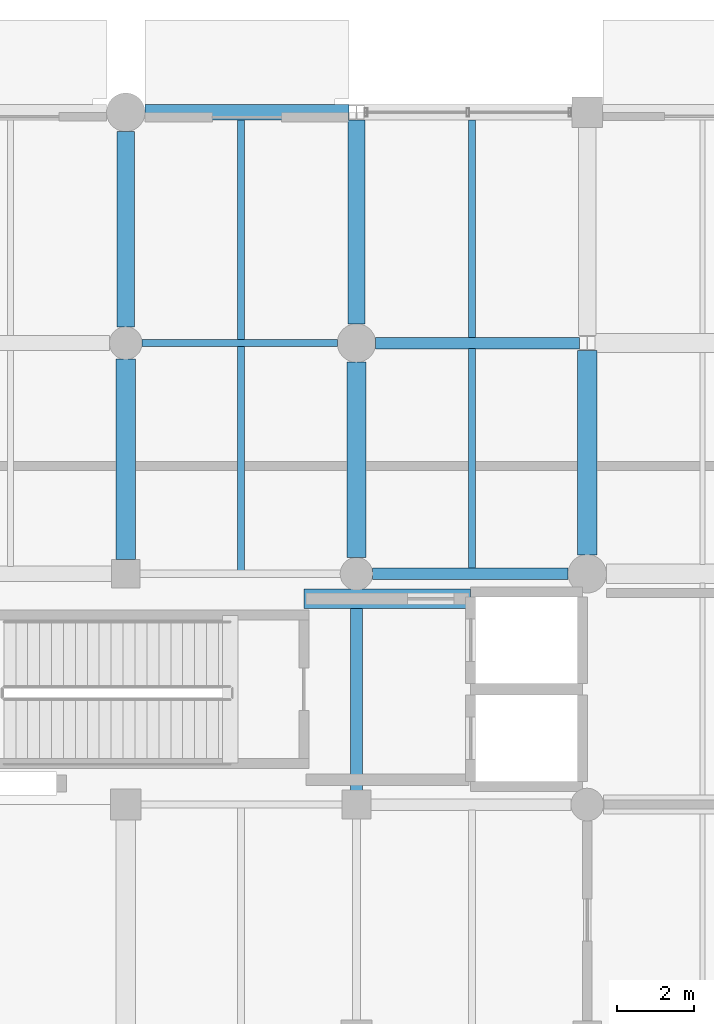
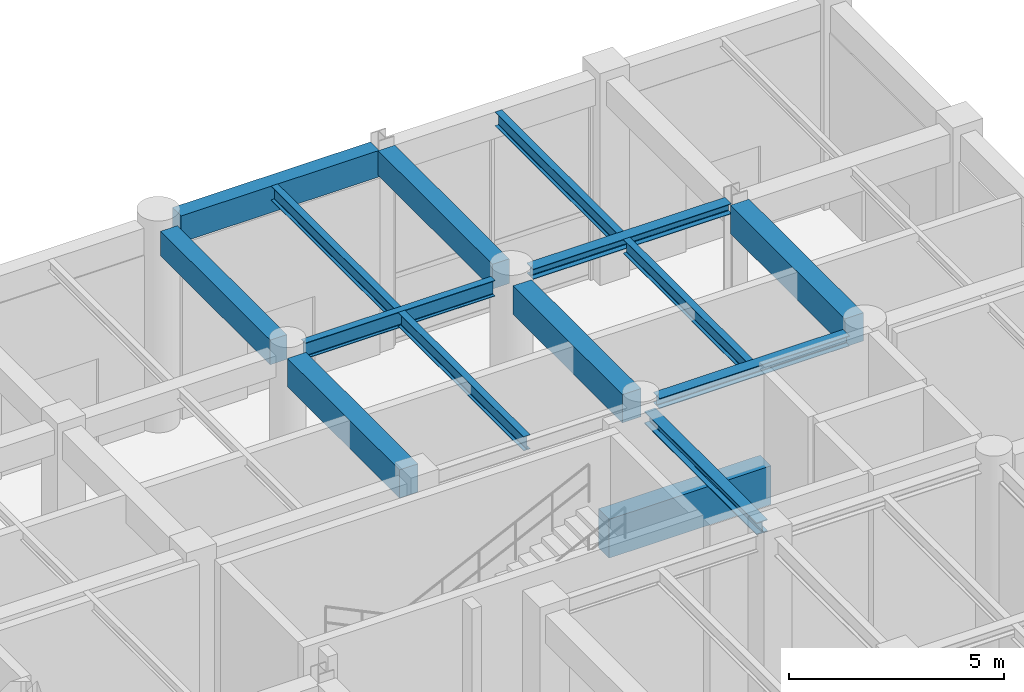
# One storey, part 69 of 106: 15 beams.
"""IFC4 building model written with IfcOpenShell, lengths in metres."""

from ifc_helpers import new_model, si_unit, direction, frame, origin, origin_2d, place, context, subcontext, project, spatial, rectangle, i_section, extrude, material, material_profile, profile_set, type_object, element, save


model = new_model("IFC4")

# Units and contexts
model_context = context("Model", 3, precision=1e-05, world=origin(), true_north=direction((0.0, 1.0)))
body_context = subcontext(model_context, "Body", "Model", "MODEL_VIEW")
ifc_project = project(units=[si_unit("LENGTHUNIT", "METRE"), si_unit("AREAUNIT", "SQUARE_METRE"), si_unit("VOLUMEUNIT", "CUBIC_METRE"), si_unit("PLANEANGLEUNIT", "RADIAN"), si_unit("MASSUNIT", "GRAM", prefix="KILO"), si_unit("THERMODYNAMICTEMPERATUREUNIT", "KELVIN"), si_unit("POWERUNIT", "WATT")], contexts=[model_context])

# Site, building, storey
site_placement = place(None, origin())
site = spatial("IfcSite", under=ifc_project, at=site_placement, CompositionType="ELEMENT")
building_placement = place(site_placement, origin())
building = spatial("IfcBuilding", under=site, at=building_placement, Name="Phaisarnlok Congress Hotel", CompositionType="ELEMENT")
storey_placement = place(building_placement, origin())
storey = spatial("IfcBuildingStorey", under=building, at=storey_placement, Name="L00", CompositionType="ELEMENT", Elevation=0.0)

# Beams
ifc_material_1 = material(Name="Concrete C40/50", Category="concrete")
ifc_material_profile_1 = material_profile(ifc_material_1, rectangle(XDim=0.449951171875, YDim=0.699951171875, at=origin_2d()), Name="RC 450x700")
ifc_profile_set_1 = profile_set([ifc_material_profile_1], Name="Concrete C40/50")
beam_type_1 = type_object("IfcBeamType", Name="BM-RC-450x700", PredefinedType="BEAM", material=ifc_profile_set_1)
beam_1_placement = place(storey_placement, frame((162.0, 120.419921875, 5.389892578125), z_axis=(0.0, 1.0, 0.0), x_axis=(-1.0, 0.0, 0.0)))
element("IfcBeam", 1, at=beam_1_placement, inside=storey, type_object=beam_type_1, Name="Beam B-03", PredefinedType="BEAM", context=body_context, shape_type="SweptSolid", body=[
    extrude(rectangle(XDim=0.449951171875, YDim=0.699951171875, at=origin_2d()), origin(), (0.0, 0.0, 1.0), 5.0849609375),
])
beam_2_placement = place(storey_placement, frame((168.0, 120.4951171875, 5.389892578125), z_axis=(0.0, 1.0, 0.0), x_axis=(-1.0, 0.0, 0.0)))
element("IfcBeam", 2, at=beam_2_placement, inside=storey, type_object=beam_type_1, Name="Beam B-03", PredefinedType="BEAM", context=body_context, shape_type="SweptSolid", body=[
    extrude(rectangle(XDim=0.449951171875, YDim=0.699951171875, at=origin_2d()), origin(), (0.0, 0.0, 1.0), 5.310302734375),
])
ifc_material_profile_2 = material_profile(ifc_material_1, rectangle(XDim=0.5, YDim=0.800048828125, at=origin_2d()), Name="RC 500x800")
ifc_profile_set_2 = profile_set([ifc_material_profile_2], Name="Concrete C40/50")
beam_type_2 = type_object("IfcBeamType", Name="BM-RC-500x800", PredefinedType="BEAM", material=ifc_profile_set_2)
beam_3_placement = place(storey_placement, frame((162.0, 114.3701171875, 5.340087890625), z_axis=(0.0, 1.0, 0.0), x_axis=(-1.0, 0.0, 0.0)))
element("IfcBeam", 3, at=beam_3_placement, inside=storey, type_object=beam_type_2, Name="Beam B-04", PredefinedType="BEAM", context=body_context, shape_type="SweptSolid", body=[
    extrude(rectangle(XDim=0.5, YDim=0.800048828125, at=origin_2d()), origin(), (0.0, 0.0, 1.0), 5.2099609375),
])
beam_4_placement = place(storey_placement, frame((168.0, 114.419921875, 5.340087890625), z_axis=(0.0, 1.0, 0.0), x_axis=(-1.0, 0.0, 0.0)))
element("IfcBeam", 4, at=beam_4_placement, inside=storey, type_object=beam_type_2, Name="Beam B-04", PredefinedType="BEAM", context=body_context, shape_type="SweptSolid", body=[
    extrude(rectangle(XDim=0.5, YDim=0.800048828125, at=origin_2d()), origin(), (0.0, 0.0, 1.0), 5.0849609375),
])
beam_5_placement = place(storey_placement, frame((174.0, 114.4951171875, 5.340087890625), z_axis=(0.0, 1.0, 0.0), x_axis=(-1.0, 0.0, 0.0)))
element("IfcBeam", 5, at=beam_5_placement, inside=storey, type_object=beam_type_2, Name="Beam B-04", PredefinedType="BEAM", context=body_context, shape_type="SweptSolid", body=[
    extrude(rectangle(XDim=0.5, YDim=0.800048828125, at=origin_2d()), origin(), (0.0, 0.0, 1.0), 5.310302734375),
])
ifc_material_2 = material(Name="Steel S355", Category="steel")
ifc_material_profile_3 = material_profile(ifc_material_2, i_section(OverallWidth=0.300048828125, OverallDepth=0.2900390625, WebThickness=0.008544921875, FlangeThickness=0.013916015625, FilletRadius=0.027099609375, at=origin_2d()), Name="HEA 300")
ifc_profile_set_3 = profile_set([ifc_material_profile_3], Name="Steel S355")
beam_type_3 = type_object("IfcBeamType", Name="BM-STL-HEA300", PredefinedType="BEAM", material=ifc_profile_set_3)
beam_6_placement = place(storey_placement, frame((168.419921875, 114.0, 5.594970703125), z_axis=(1.0, 0.0, 0.0), x_axis=(0.0, 1.0, 0.0)))
element("IfcBeam", 6, at=beam_6_placement, inside=storey, type_object=beam_type_3, Name="Beam SB-05", PredefinedType="BEAM", context=body_context, shape_type="SweptSolid", body=[
    extrude(i_section(OverallWidth=0.300048828125, OverallDepth=0.2900390625, WebThickness=0.008544921875, FlangeThickness=0.013916015625, FilletRadius=0.027099609375, at=origin_2d()), origin(), (0.0, 0.0, 1.0), 5.0849609375),
])
beam_7_placement = place(storey_placement, frame((168.4951171875, 120.0, 5.594970703125), z_axis=(1.0, 0.0, 0.0), x_axis=(0.0, 1.0, 0.0)))
element("IfcBeam", 7, at=beam_7_placement, inside=storey, type_object=beam_type_3, Name="Beam SB-05", PredefinedType="BEAM", context=body_context, shape_type="SweptSolid", body=[
    extrude(i_section(OverallWidth=0.300048828125, OverallDepth=0.2900390625, WebThickness=0.008544921875, FlangeThickness=0.013916015625, FilletRadius=0.027099609375, at=origin_2d()), origin(), (0.0, 0.0, 1.0), 5.309326171875),
])
ifc_material_profile_4 = material_profile(ifc_material_2, i_section(OverallWidth=0.300048828125, OverallDepth=0.340087890625, WebThickness=0.011962890625, FlangeThickness=0.021484375, FilletRadius=0.027099609375, at=origin_2d()), Name="HEB 340")
ifc_profile_set_4 = profile_set([ifc_material_profile_4], Name="Steel S355")
beam_type_4 = type_object("IfcBeamType", Name="BM-STL-HEB340", PredefinedType="BEAM", material=ifc_profile_set_4)
beam_8_placement = place(storey_placement, frame((168.0, 108.3701171875, 5.570068359375), z_axis=(0.0, 1.0, 0.0), x_axis=(-1.0, 0.0, 0.0)))
element("IfcBeam", 8, at=beam_8_placement, inside=storey, type_object=beam_type_4, Name="Beam SB-07", PredefinedType="BEAM", context=body_context, shape_type="SweptSolid", body=[
    extrude(i_section(OverallWidth=0.300048828125, OverallDepth=0.340087890625, WebThickness=0.011962890625, FlangeThickness=0.021484375, FilletRadius=0.027099609375, at=origin_2d()), origin(), (0.0, 0.0, 1.0), 5.2099609375),
])
ifc_material_profile_5 = material_profile(ifc_material_2, i_section(OverallWidth=0.18994140625, OverallDepth=0.449951171875, WebThickness=0.009521484375, FlangeThickness=0.0146484375, FilletRadius=0.02099609375, at=origin_2d()), Name="IPE 450")
ifc_profile_set_5 = profile_set([ifc_material_profile_5], Name="Steel S355")
beam_type_5 = type_object("IfcBeamType", Name="BM-STL-IPE450", PredefinedType="BEAM", material=ifc_profile_set_5)
beam_9_placement = place(storey_placement, frame((162.419921875, 120.0, 5.514892578125), z_axis=(1.0, 0.0, 0.0), x_axis=(0.0, 1.0, 0.0)))
element("IfcBeam", 9, at=beam_9_placement, inside=storey, type_object=beam_type_5, Name="Beam SB-01", PredefinedType="BEAM", context=body_context, shape_type="SweptSolid", body=[
    extrude(i_section(OverallWidth=0.18994140625, OverallDepth=0.449951171875, WebThickness=0.009521484375, FlangeThickness=0.0146484375, FilletRadius=0.02099609375, at=origin_2d()), origin(), (0.0, 0.0, 1.0), 5.0849609375),
])
ifc_material_profile_6 = material_profile(ifc_material_2, i_section(OverallWidth=0.179931640625, OverallDepth=0.39990234375, WebThickness=0.008544921875, FlangeThickness=0.013427734375, FilletRadius=0.02099609375, at=origin_2d()), Name="IPE 400")
ifc_profile_set_6 = profile_set([ifc_material_profile_6], Name="Steel S355")
beam_type_6 = type_object("IfcBeamType", Name="JS-STL-IPE400", PredefinedType="JOIST", material=ifc_profile_set_6)
beam_10_placement = place(storey_placement, frame((165.0, 114.090087890625, 5.5400390625), z_axis=(0.0, 1.0, 0.0), x_axis=(-1.0, 0.0, 0.0)))
element("IfcBeam", 10, at=beam_10_placement, inside=storey, type_object=beam_type_6, Name="Secondary floor joist J-05", PredefinedType="JOIST", context=body_context, shape_type="SweptSolid", body=[
    extrude(i_section(OverallWidth=0.179931640625, OverallDepth=0.39990234375, WebThickness=0.008544921875, FlangeThickness=0.013427734375, FilletRadius=0.02099609375, at=origin_2d()), origin(), (0.0, 0.0, 1.0), 5.81982421875),
])
beam_11_placement = place(storey_placement, frame((165.0, 120.090087890625, 5.5400390625), z_axis=(0.0, 1.0, 0.0), x_axis=(-1.0, 0.0, 0.0)))
element("IfcBeam", 11, at=beam_11_placement, inside=storey, type_object=beam_type_6, Name="Secondary floor joist J-05", PredefinedType="JOIST", context=body_context, shape_type="SweptSolid", body=[
    extrude(i_section(OverallWidth=0.179931640625, OverallDepth=0.39990234375, WebThickness=0.008544921875, FlangeThickness=0.013427734375, FilletRadius=0.02099609375, at=origin_2d()), origin(), (0.0, 0.0, 1.0), 5.71484375),
])
beam_12_placement = place(storey_placement, frame((171.0, 114.14501953125, 5.5400390625), z_axis=(0.0, 1.0, 0.0), x_axis=(-1.0, 0.0, 0.0)))
element("IfcBeam", 12, at=beam_12_placement, inside=storey, type_object=beam_type_6, Name="Secondary floor joist J-05", PredefinedType="JOIST", context=body_context, shape_type="SweptSolid", body=[
    extrude(i_section(OverallWidth=0.179931640625, OverallDepth=0.39990234375, WebThickness=0.008544921875, FlangeThickness=0.013427734375, FilletRadius=0.02099609375, at=origin_2d()), origin(), (0.0, 0.0, 1.0), 5.7099609375),
])
beam_13_placement = place(storey_placement, frame((171.0, 120.14501953125, 5.5400390625), z_axis=(0.0, 1.0, 0.0), x_axis=(-1.0, 0.0, 0.0)))
element("IfcBeam", 13, at=beam_13_placement, inside=storey, type_object=beam_type_6, Name="Secondary floor joist J-05", PredefinedType="JOIST", context=body_context, shape_type="SweptSolid", body=[
    extrude(i_section(OverallWidth=0.179931640625, OverallDepth=0.39990234375, WebThickness=0.008544921875, FlangeThickness=0.013427734375, FilletRadius=0.02099609375, at=origin_2d()), origin(), (0.0, 0.0, 1.0), 5.659912109375),
])
ifc_material_3 = material(Name="Concrete C50/60", Category="concrete")
ifc_material_profile_7 = material_profile(ifc_material_3, rectangle(XDim=0.5, YDim=1.10009765625, at=origin_2d()), Name="RC 500x1100")
ifc_profile_set_7 = profile_set([ifc_material_profile_7], Name="Concrete C50/60")
beam_type_7 = type_object("IfcBeamType", Name="LN-RC-500x1100", PredefinedType="LINTEL", material=ifc_profile_set_7)
beam_14_placement = place(storey_placement, frame((166.6298828125, 113.35009765625, 2.85009765625), z_axis=(1.0, 0.0, 0.0), x_axis=(0.0, 1.0, 0.0)))
element("IfcBeam", 14, at=beam_14_placement, inside=storey, type_object=beam_type_7, Name="Core coupling lintel beam LN-02", PredefinedType="LINTEL", context=body_context, shape_type="SweptSolid", body=[
    extrude(rectangle(XDim=0.5, YDim=1.10009765625, at=origin_2d()), origin(), (0.0, 0.0, 1.0), 4.340087890625),
])
ifc_material_profile_8 = material_profile(ifc_material_1, rectangle(XDim=0.39990234375, YDim=0.75, at=origin_2d()), Name="RC 400x750")
ifc_profile_set_8 = profile_set([ifc_material_profile_8], Name="Concrete C40/50")
beam_type_8 = type_object("IfcBeamType", Name="SP-RC-400x750", PredefinedType="SPANDREL", material=ifc_profile_set_8)
beam_15_placement = place(storey_placement, frame((162.4951171875, 126.0, 5.364990234375), z_axis=(1.0, 0.0, 0.0), x_axis=(0.0, 1.0, 0.0)))
element("IfcBeam", 15, at=beam_15_placement, inside=storey, type_object=beam_type_8, Name="Beam SP-02", PredefinedType="SPANDREL", context=body_context, shape_type="SweptSolid", body=[
    extrude(rectangle(XDim=0.39990234375, YDim=0.75, at=origin_2d()), origin(), (0.0, 0.0, 1.0), 5.309326171875),
])

save(model, "model.ifc")
